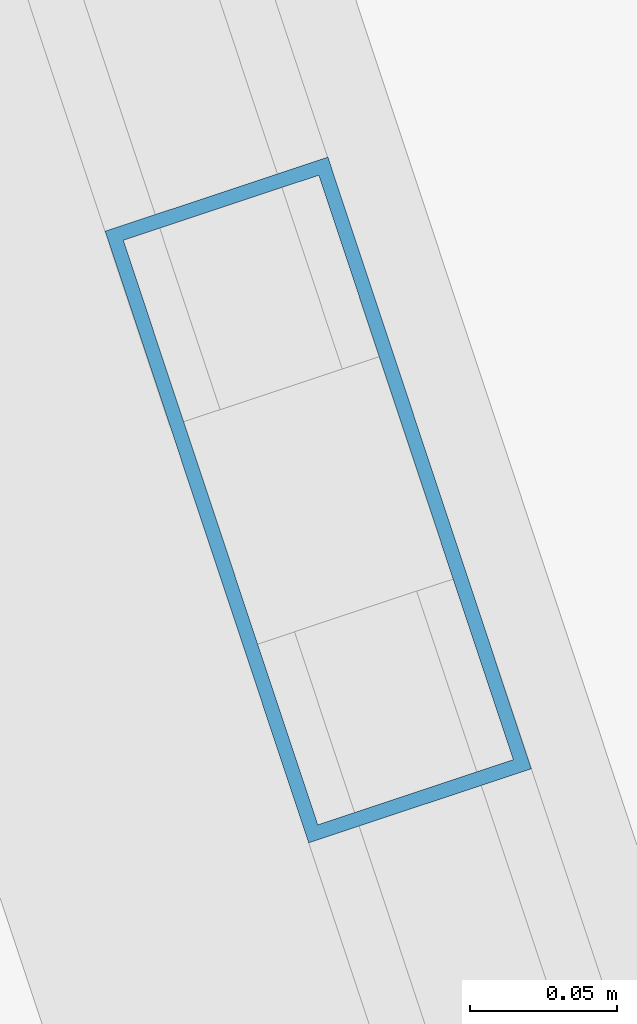
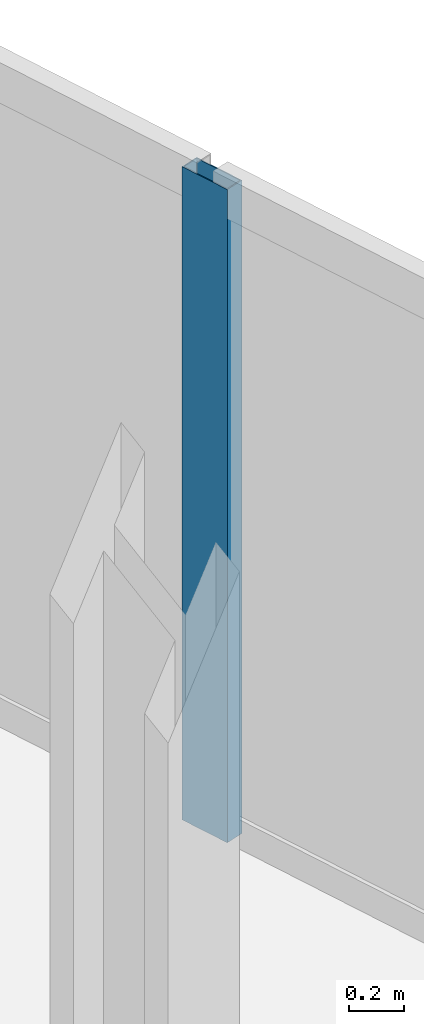
# One storey, part 14 of 34: 1 member, 1 element without a shape of its own.
"""IFC4 building model written with IfcOpenShell, lengths in metres."""

from ifc_helpers import new_model, si_unit, direction, frame, origin, origin_2d, place, context, subcontext, project, spatial, hollow_rectangle, extrude, material, material_profile, profile_set, type_object, element, aggregate, save


model = new_model("IFC4")

# Units and contexts
model_context = context("Model", 3, precision=1e-05, world=origin(), true_north=direction((0.0, 1.0)))
body_context = subcontext(model_context, "Body", "Model", "MODEL_VIEW")
ifc_project = project(units=[si_unit("LENGTHUNIT", "METRE"), si_unit("AREAUNIT", "SQUARE_METRE"), si_unit("VOLUMEUNIT", "CUBIC_METRE"), si_unit("PLANEANGLEUNIT", "RADIAN"), si_unit("MASSUNIT", "GRAM", prefix="KILO")], contexts=[model_context])

# Site, building, storey
site_placement = place(None, origin())
site = spatial("IfcSite", under=ifc_project, at=site_placement, CompositionType="ELEMENT")
building_placement = place(site_placement, origin())
building = spatial("IfcBuilding", under=site, at=building_placement, Name="Haldenkirk Collegiate Tower", CompositionType="ELEMENT")
storey_placement = place(building_placement, frame((0.0, 0.0, 90.449951171875)))
storey = spatial("IfcBuildingStorey", under=building, at=storey_placement, Name="L21", CompositionType="ELEMENT", Elevation=90.449951171875)

# Curtain wall, member
ifc_material = material(Name="Anodised architectural bronze aluminium", Category="aluminium")
curtain_wall_type = type_object("IfcCurtainWallType", Name="CW-SYS1-CONVEX-LOW", PredefinedType="USERDEFINED", material=ifc_material)
curtain_wall_placement = place(storey_placement, origin())
curtain_wall = element("IfcCurtainWall", 1, at=curtain_wall_placement, inside=storey, type_object=curtain_wall_type, Name="L21 Lower tower convex bronze-framed unitised curtain wall", ObjectType="UNITISED CURTAIN WALL", PredefinedType="USERDEFINED")
ifc_material_profile = material_profile(ifc_material, hollow_rectangle(XDim=0.080078125, YDim=0.219970703125, WallThickness=0.0048828125, at=origin_2d()), Name="CW-MUL-1A")
ifc_profile_set = profile_set([ifc_material_profile], Name="Anodised architectural bronze aluminium")
member_type = type_object("IfcMemberType", Name="CW-MUL-1A", PredefinedType="MULLION", material=ifc_profile_set)
member_placement = place(storey_placement, frame((63.640869140625, 25.025146484375, 0.0), z_axis=(0.0, 0.0, 1.0), x_axis=(0.948876521826, 0.315647503281, 0.0)))
member = element("IfcMember", 2, at=member_placement, type_object=member_type, Name="CW-1A mullion 4", PredefinedType="MULLION", context=body_context, shape_type="SweptSolid", body=[
    extrude(hollow_rectangle(XDim=0.080078125, YDim=0.219970703125, WallThickness=0.0048828125, at=origin_2d()), origin(), (0.0, 0.0, 1.0), 2.901123046875),
])
aggregate(curtain_wall, [member])

save(model, "model.ifc")
